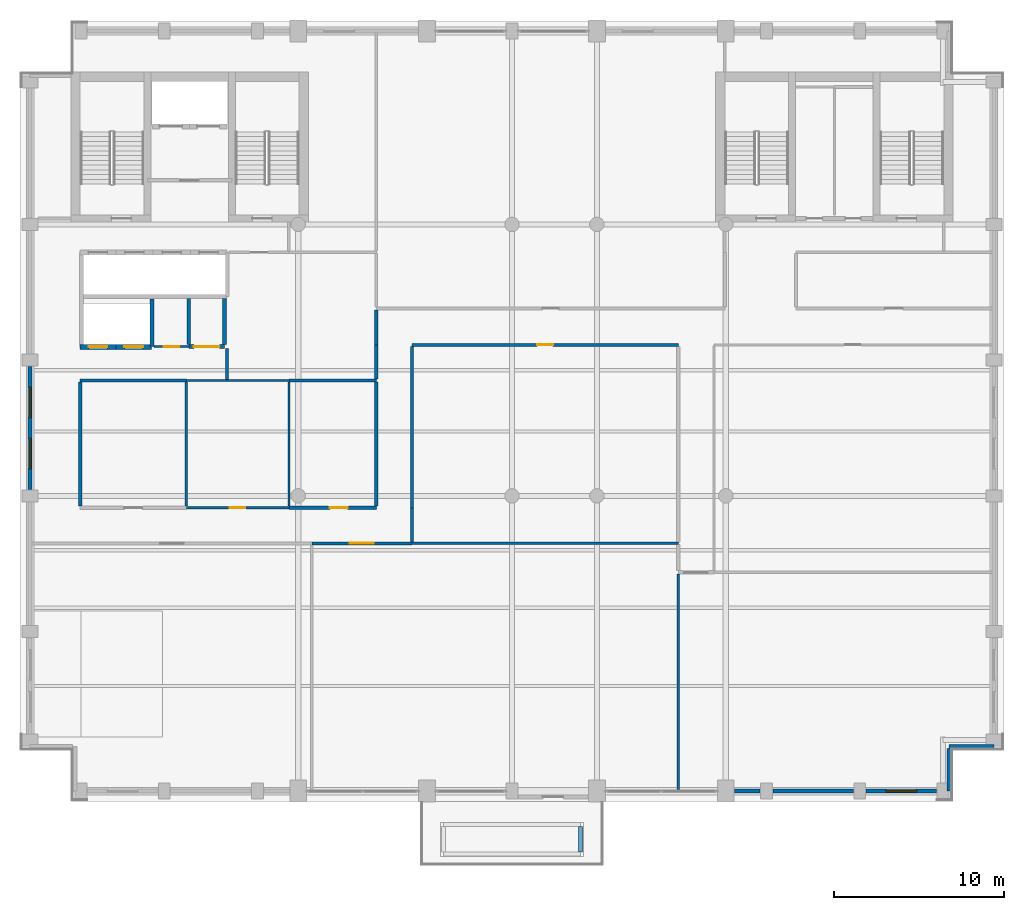
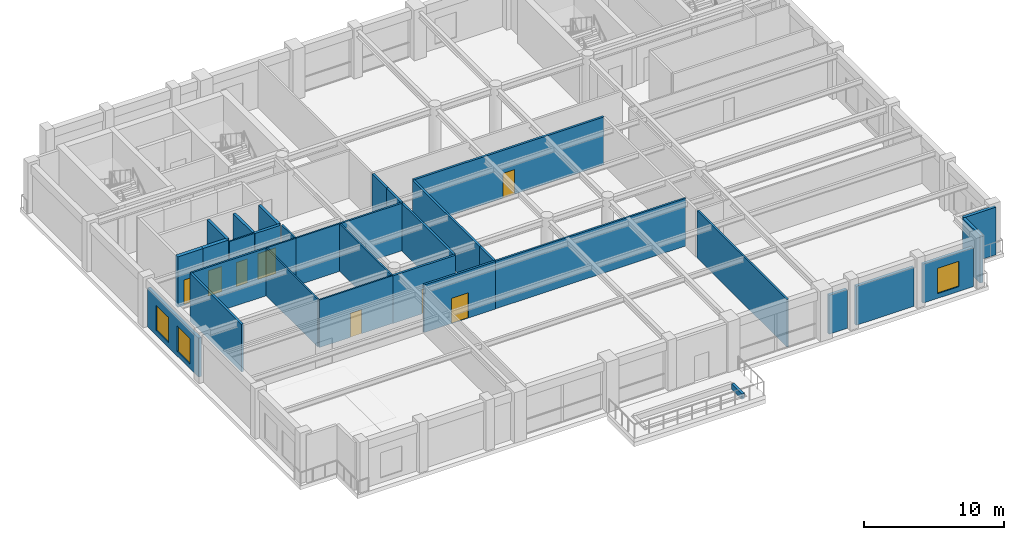
# One storey, part 7 of 13: 33 walls, 8 doors, 3 windows, 11 openings.
"""IFC4 building model written with IfcOpenShell, lengths in metres."""

from ifc_helpers import new_model, si_unit, direction, frame, frame_2d, origin, place, context, subcontext, project, spatial, rectangle, extrude, material, layer, layer_set, type_object, element, fill, save


model = new_model("IFC4")

# Units and contexts
model_context = context("Model", 3, precision=1e-05, world=origin(), true_north=direction((0.0, 1.0)))
body_context = subcontext(model_context, "Body", "Model", "MODEL_VIEW")
ifc_project = project(units=[si_unit("LENGTHUNIT", "METRE"), si_unit("AREAUNIT", "SQUARE_METRE"), si_unit("VOLUMEUNIT", "CUBIC_METRE"), si_unit("PLANEANGLEUNIT", "RADIAN"), si_unit("MASSUNIT", "GRAM", prefix="KILO")], contexts=[model_context])

# Site, building, storey
site_placement = place(None, origin())
site = spatial("IfcSite", under=ifc_project, at=site_placement, CompositionType="ELEMENT")
building_placement = place(site_placement, origin())
building = spatial("IfcBuilding", under=site, at=building_placement, Name="Sulina Concourse Tower", CompositionType="ELEMENT")
storey_placement = place(building_placement, frame((0.0, 0.0, 280.60009765625)))
storey = spatial("IfcBuildingStorey", under=building, at=storey_placement, Name="L68", CompositionType="ELEMENT", Elevation=280.60009765625)

# Wall
ifc_material_1 = material(Name="Concrete C50/60", Category="concrete")
ifc_layer_1 = layer(ifc_material_1, 0.219970703125)
ifc_layer_set_1 = layer_set([ifc_layer_1], Name="Concrete C50/60")
wall_type_1 = type_object("IfcWallType", Name="Core Lift Hoistway Divider Wall 220mm", PredefinedType="SOLIDWALL", material=ifc_layer_set_1)
wall_1_placement = place(storey_placement, frame((7.780029296875, 26.800048828125, 0.0), z_axis=(0.0, 0.0, 1.0), x_axis=(0.0, 1.0, 0.0)))
element("IfcWall", 1, at=wall_1_placement, inside=storey, type_object=wall_type_1, Name="L68 shaft divider wall HW-EXP-E", PredefinedType="SOLIDWALL", context=body_context, shape_type="SweptSolid", body=[
    extrude(rectangle(XDim=2.800048828125, YDim=0.219970703125, at=frame_2d((1.39990234375, 0.0))), origin(), (0.0, 0.0, 1.0), 4.39990234375),
])

# Wall, opening, door
ifc_material_2 = material(Name="Concrete C50/60", Category="concrete")
ifc_layer_2 = layer(ifc_material_2, 0.300048828125)
ifc_layer_set_2 = layer_set([ifc_layer_2], Name="Concrete C50/60")
wall_type_2 = type_object("IfcWallType", Name="Core Lift Hoistway Wall 300mm", PredefinedType="SOLIDWALL", material=ifc_layer_set_2)
wall_2_placement = place(storey_placement, frame((5.64990234375, 26.780029296875, 0.0), z_axis=(0.0, 0.0, 1.0), x_axis=(-1.0, 0.0, 0.0)))
wall_2 = element("IfcWall", 2, at=wall_2_placement, inside=storey, type_object=wall_type_2, Name="L68 hoistway enclosure wall EXP-1", PredefinedType="SOLIDWALL", context=body_context, shape_type="SweptSolid", body=[
    extrude(rectangle(XDim=2.099853515625, YDim=0.300048828125, at=frame_2d((1.0498046875, 0.0))), origin(), (0.0, 0.0, 1.0), 4.39990234375),
])
opening_1_placement = place(wall_2_placement, frame((0.5, 0.0, 0.0)))
opening_1 = element("IfcOpeningElement", 3, at=opening_1_placement, cuts=wall_2, Name="Opening LD-01", PredefinedType="OPENING", context=body_context, shape_type="SweptSolid", body=[
    extrude(rectangle(XDim=1.10009765625, YDim=2.199951171875, at=frame_2d((0.550048828125, 1.10009765625))), frame((0.0, 0.159912109375, 0.0), z_axis=(0.0, -1.0, 0.0), x_axis=(1.0, 0.0, 0.0)), (0.0, 0.0, 1.0), 0.320068359375),
])
ifc_material_3 = material(Name="Stainless steel lift landing door", Category="steel")
ifc_layer_3 = layer(ifc_material_3, 0.050048828125)
ifc_layer_set_3 = layer_set([ifc_layer_3], Name="Stainless steel lift landing door")
door_type_1 = type_object("IfcDoorType", Name="Passenger Lift Sliding Landing Door 1100x2200", OperationType="SLIDING_TO_LEFT", PredefinedType="DOOR", material=ifc_layer_set_3)
door_1_placement = place(opening_1_placement, origin())
door_1 = element("IfcDoor", 4, at=door_1_placement, inside=storey, type_object=door_type_1, Name="L68 lift landing sliding door EXP-1", OperationType="SLIDING_TO_LEFT", OverallHeight=2.199951171875, OverallWidth=1.10009765625, PredefinedType="DOOR", context=body_context, shape_type="SweptSolid", body=[
    extrude(rectangle(XDim=1.10009765625, YDim=2.199951171875, at=frame_2d((0.550048828125, 1.10009765625))), frame((0.0, 0.02490234375, 0.0), z_axis=(0.0, -1.0, 0.0), x_axis=(1.0, 0.0, 0.0)), (0.0, 0.0, 1.0), 0.050048828125),
])
fill(opening_1, door_1)

wall_3_placement = place(storey_placement, frame((7.75, 26.780029296875, 0.0), z_axis=(0.0, 0.0, 1.0), x_axis=(-1.0, 0.0, 0.0)))
wall_3 = element("IfcWall", 5, at=wall_3_placement, inside=storey, type_object=wall_type_2, Name="L68 hoistway enclosure wall EXP-2", PredefinedType="SOLIDWALL", context=body_context, shape_type="SweptSolid", body=[
    extrude(rectangle(XDim=2.10009765625, YDim=0.300048828125, at=frame_2d((1.050048828125, 0.0))), origin(), (0.0, 0.0, 1.0), 4.39990234375),
])
opening_2_placement = place(wall_3_placement, frame((0.5, 0.0, 0.0)))
opening_2 = element("IfcOpeningElement", 6, at=opening_2_placement, cuts=wall_3, Name="Opening LD-01", PredefinedType="OPENING", context=body_context, shape_type="SweptSolid", body=[
    extrude(rectangle(XDim=1.10009765625, YDim=2.199951171875, at=frame_2d((0.550048828125, 1.10009765625))), frame((0.0, 0.159912109375, 0.0), z_axis=(0.0, -1.0, 0.0), x_axis=(1.0, 0.0, 0.0)), (0.0, 0.0, 1.0), 0.320068359375),
])
door_2_placement = place(opening_2_placement, origin())
door_2 = element("IfcDoor", 7, at=door_2_placement, inside=storey, type_object=door_type_1, Name="L68 lift landing sliding door EXP-2", OperationType="SLIDING_TO_RIGHT", OverallHeight=2.199951171875, OverallWidth=1.10009765625, PredefinedType="DOOR", context=body_context, shape_type="SweptSolid", body=[
    extrude(rectangle(XDim=1.10009765625, YDim=2.199951171875, at=frame_2d((0.550048828125, 1.10009765625))), frame((0.0, 0.02490234375, 0.0), z_axis=(0.0, -1.0, 0.0), x_axis=(1.0, 0.0, 0.0)), (0.0, 0.0, 1.0), 0.050048828125),
])
fill(opening_2, door_2)

# Walls
ifc_material_4 = material(Name="Precast concrete C50/60", Category="concrete")
ifc_layer_4 = layer(ifc_material_4, 0.239990234375)
ifc_layer_set_4 = layer_set([ifc_layer_4], Name="Precast concrete C50/60")
wall_type_3 = type_object("IfcWallType", Name="Crown Precast Masonry-Frame Facade Wall 240mm", PredefinedType="SOLIDWALL", material=ifc_layer_set_4)
wall_4_placement = place(storey_placement, frame((43.6298828125, 0.60009765625, 0.0), z_axis=(0.0, 0.0, 1.0), x_axis=(-1.0, 0.0, 0.0)))
element("IfcWall", 8, at=wall_4_placement, inside=storey, type_object=wall_type_3, Name="L68 exterior precast wall S8", PredefinedType="SOLIDWALL", context=body_context, shape_type="SweptSolid", body=[
    extrude(rectangle(XDim=1.509765625, YDim=0.239990234375, at=frame_2d((0.7548828125, 0.0))), origin(), (0.0, 0.0, 1.0), 3.39990234375),
])
wall_5_placement = place(storey_placement, frame((49.1298828125, 0.60009765625, 0.0), z_axis=(0.0, 0.0, 1.0), x_axis=(-1.0, 0.0, 0.0)))
element("IfcWall", 9, at=wall_5_placement, inside=storey, type_object=wall_type_3, Name="L68 exterior precast wall S9", PredefinedType="SOLIDWALL", context=body_context, shape_type="SweptSolid", body=[
    extrude(rectangle(XDim=4.759765625, YDim=0.239990234375, at=frame_2d((2.3798828125, 0.0))), origin(), (0.0, 0.0, 1.0), 3.39990234375),
])

# Wall, opening, window
wall_6_placement = place(storey_placement, frame((54.030029296875, 0.60009765625, 0.0), z_axis=(0.0, 0.0, 1.0), x_axis=(-1.0, 0.0, 0.0)))
wall_6 = element("IfcWall", 10, at=wall_6_placement, inside=storey, type_object=wall_type_3, Name="L68 exterior precast wall S10", PredefinedType="SOLIDWALL", context=body_context, shape_type="SweptSolid", body=[
    extrude(rectangle(XDim=4.159912109375, YDim=0.239990234375, at=frame_2d((2.080078125, 0.0))), origin(), (0.0, 0.0, 1.0), 3.39990234375),
])
opening_3_placement = place(wall_6_placement, frame((1.179931640625, 0.0, 0.419921875)))
opening_3 = element("IfcOpeningElement", 11, at=opening_3_placement, cuts=wall_6, Name="Opening WN-25", PredefinedType="OPENING", context=body_context, shape_type="SweptSolid", body=[
    extrude(rectangle(XDim=1.800048828125, YDim=2.199951171875, at=frame_2d((0.89990234375, 1.10009765625))), frame((0.0, 0.1298828125, 0.0), z_axis=(0.0, -1.0, 0.0), x_axis=(1.0, 0.0, 0.0)), (0.0, 0.0, 1.0), 0.260009765625),
])
ifc_material_5 = material(Name="Low-E solar double glazing in bronze aluminium", Category="aluminium")
window_type = type_object("IfcWindowType", Name="Punched Masonry-Frame Window 1800x2200", PartitioningType="SINGLE_PANEL", PredefinedType="WINDOW", material=ifc_material_5)
window_1_placement = place(opening_3_placement, origin())
window_1 = element("IfcWindow", 12, at=window_1_placement, inside=storey, type_object=window_type, Name="L68 punched window S10-1", OverallHeight=2.199951171875, OverallWidth=1.800048828125, PartitioningType="SINGLE_PANEL", PredefinedType="WINDOW", context=body_context, shape_type="SweptSolid", body=[
    extrude(rectangle(XDim=1.800048828125, YDim=2.199951171875, at=frame_2d((0.89990234375, 1.10009765625))), frame((0.0, 0.030029296875, 0.0), z_axis=(0.0, -1.0, 0.0), x_axis=(1.0, 0.0, 0.0)), (0.0, 0.0, 1.0), 0.06005859375),
])
fill(opening_3, window_1)

# Wall, openings, windows
wall_7_placement = place(storey_placement, frame((0.60009765625, 18.3701171875, 0.0), z_axis=(0.0, 0.0, 1.0), x_axis=(0.0, 1.0, 0.0)))
wall_7 = element("IfcWall", 13, at=wall_7_placement, inside=storey, type_object=wall_type_3, Name="L68 exterior precast wall W3", PredefinedType="SOLIDWALL", context=body_context, shape_type="SweptSolid", body=[
    extrude(rectangle(XDim=7.259765625, YDim=0.239990234375, at=frame_2d((3.6298828125, 0.0))), origin(), (0.0, 0.0, 1.0), 3.39990234375),
])
opening_4_placement = place(wall_7_placement, frame((1.219970703125, 0.0, 0.419921875)))
opening_4 = element("IfcOpeningElement", 14, at=opening_4_placement, cuts=wall_7, Name="Opening WN-25", PredefinedType="OPENING", context=body_context, shape_type="SweptSolid", body=[
    extrude(rectangle(XDim=1.800048828125, YDim=2.199951171875, at=frame_2d((0.89990234375, 1.10009765625))), frame((0.0, 0.1298828125, 0.0), z_axis=(0.0, -1.0, 0.0), x_axis=(1.0, 0.0, 0.0)), (0.0, 0.0, 1.0), 0.260009765625),
])
opening_5_placement = place(wall_7_placement, frame((4.239990234375, 0.0, 0.419921875)))
opening_5 = element("IfcOpeningElement", 15, at=opening_5_placement, cuts=wall_7, Name="Opening WN-25", PredefinedType="OPENING", context=body_context, shape_type="SweptSolid", body=[
    extrude(rectangle(XDim=1.800048828125, YDim=2.199951171875, at=frame_2d((0.89990234375, 1.10009765625))), frame((0.0, 0.1298828125, 0.0), z_axis=(0.0, -1.0, 0.0), x_axis=(1.0, 0.0, 0.0)), (0.0, 0.0, 1.0), 0.260009765625),
])
window_2_placement = place(opening_4_placement, origin())
window_2 = element("IfcWindow", 16, at=window_2_placement, inside=storey, type_object=window_type, Name="L68 punched window W3-1", OverallHeight=2.199951171875, OverallWidth=1.800048828125, PartitioningType="SINGLE_PANEL", PredefinedType="WINDOW", context=body_context, shape_type="SweptSolid", body=[
    extrude(rectangle(XDim=1.800048828125, YDim=2.199951171875, at=frame_2d((0.89990234375, 1.10009765625))), frame((0.0, 0.030029296875, 0.0), z_axis=(0.0, -1.0, 0.0), x_axis=(1.0, 0.0, 0.0)), (0.0, 0.0, 1.0), 0.06005859375),
])
fill(opening_4, window_2)
window_3_placement = place(opening_5_placement, origin())
window_3 = element("IfcWindow", 17, at=window_3_placement, inside=storey, type_object=window_type, Name="L68 punched window W3-2", OverallHeight=2.199951171875, OverallWidth=1.800048828125, PartitioningType="SINGLE_PANEL", PredefinedType="WINDOW", context=body_context, shape_type="SweptSolid", body=[
    extrude(rectangle(XDim=1.800048828125, YDim=2.199951171875, at=frame_2d((0.89990234375, 1.10009765625))), frame((0.0, 0.030029296875, 0.0), z_axis=(0.0, -1.0, 0.0), x_axis=(1.0, 0.0, 0.0)), (0.0, 0.0, 1.0), 0.06005859375),
])
fill(opening_5, window_3)

# Walls
wall_8_placement = place(storey_placement, frame((57.39990234375, 3.22998046875, 0.0), z_axis=(0.0, 0.0, 1.0), x_axis=(-1.0, 0.0, 0.0)))
element("IfcWall", 18, at=wall_8_placement, inside=storey, type_object=wall_type_3, Name="L68 exterior precast wall CSE1", PredefinedType="SOLIDWALL", context=body_context, shape_type="SweptSolid", body=[
    extrude(rectangle(XDim=2.6298828125, YDim=0.239990234375, at=frame_2d((1.31494140625, 0.0))), origin(), (0.0, 0.0, 1.0), 4.14990234375),
])
wall_9_placement = place(storey_placement, frame((54.77001953125, 3.10498046875, 0.0), z_axis=(0.0, 0.0, 1.0), x_axis=(0.0, -1.0, 0.0)))
element("IfcWall", 19, at=wall_9_placement, inside=storey, type_object=wall_type_3, Name="L68 exterior precast wall CSE2", PredefinedType="SOLIDWALL", context=body_context, shape_type="SweptSolid", body=[
    extrude(rectangle(XDim=2.5048828125, YDim=0.239990234375, at=frame_2d((1.25244140625, 0.0))), origin(), (0.0, 0.0, 1.0), 4.14990234375),
])

# Wall, opening, door
ifc_material_6 = material(Name="Gypsum board on steel stud", Category="steel")
ifc_layer_5 = layer(ifc_material_6, 0.219970703125)
ifc_layer_set_5 = layer_set([ifc_layer_5], Name="Gypsum board on steel stud")
wall_type_4 = type_object("IfcWallType", Name="Fire-Rated Lobby & Compartment Wall 220mm", PredefinedType="PARTITIONING", material=ifc_layer_set_5)
wall_10_placement = place(storey_placement, frame((9.949951171875, 26.800048828125, 0.0), z_axis=(0.0, 0.0, 1.0), x_axis=(1.0, 0.0, 0.0)))
wall_10 = element("IfcWall", 20, at=wall_10_placement, inside=storey, type_object=wall_type_4, Name="L68 interior partition 014", PredefinedType="PARTITIONING", context=body_context, shape_type="SweptSolid", body=[
    extrude(rectangle(XDim=2.10009765625, YDim=0.219970703125, at=frame_2d((1.050048828125, 0.0))), origin(), (0.0, 0.0, 1.0), 4.14990234375),
])
opening_6_placement = place(wall_10_placement, frame((0.300048828125, 0.0, 0.0)))
opening_6 = element("IfcOpeningElement", 21, at=opening_6_placement, cuts=wall_10, Name="Opening DR-80", PredefinedType="OPENING", context=body_context, shape_type="SweptSolid", body=[
    extrude(rectangle(XDim=1.5, YDim=2.25, at=frame_2d((0.75, 1.125))), frame((0.0, 0.119873046875, 0.0), z_axis=(0.0, -1.0, 0.0), x_axis=(1.0, 0.0, 0.0)), (0.0, 0.0, 1.0), 0.239990234375),
])
ifc_material_7 = material(Name="Galvanised steel acoustic fire leaf", Category="steel")
ifc_layer_6 = layer(ifc_material_7, 0.054931640625)
ifc_layer_set_6 = layer_set([ifc_layer_6], Name="Galvanised steel acoustic fire leaf")
door_type_2 = type_object("IfcDoorType", Name="Mechanical Plant Double Fire Door 1500x2250", OperationType="DOUBLE_DOOR_SINGLE_SWING", PredefinedType="DOOR", material=ifc_layer_set_6)
door_3_placement = place(opening_6_placement, origin())
door_3 = element("IfcDoor", 22, at=door_3_placement, inside=storey, type_object=door_type_2, Name="L68 interior door L68-IT-IDF", OperationType="DOUBLE_DOOR_SINGLE_SWING", OverallHeight=2.25, OverallWidth=1.5, PredefinedType="DOOR", context=body_context, shape_type="SweptSolid", body=[
    extrude(rectangle(XDim=1.5, YDim=2.25, at=frame_2d((0.75, 1.125))), frame((0.0, 0.02490234375, 0.0), z_axis=(0.0, -1.0, 0.0), x_axis=(1.0, 0.0, 0.0)), (0.0, 0.0, 1.0), 0.050048828125),
])
fill(opening_6, door_3)

# Walls
for number, where, z_axis, x_axis, name in (
    (23, (9.949951171875, 26.909912109375, 0.0), (0.0, 0.0, 1.0), (0.0, 1.0, 0.0), "L68 interior partition 028"),
    (24, (12.050048828125, 26.909912109375, 0.0), (0.0, 0.0, 1.0), (0.0, 1.0, 0.0), "L68 interior partition 029"),
):
    element("IfcWall", number, at=place(storey_placement, frame(where, z_axis=z_axis, x_axis=x_axis)), inside=storey, type_object=wall_type_4, Name=name, PredefinedType="PARTITIONING", context=body_context, shape_type="SweptSolid", body=[
        extrude(rectangle(XDim=2.72998046875, YDim=0.219970703125, at=frame_2d((1.364990234375, 0.0))), origin(), (0.0, 0.0, 1.0), 4.14990234375),
    ])
ifc_material_8 = material(Name="Gypsum board on steel stud", Category="steel")
ifc_layer_7 = layer(ifc_material_8, 0.14990234375)
ifc_layer_set_7 = layer_set([ifc_layer_7], Name="Gypsum board on steel stud")
wall_type_5 = type_object("IfcWallType", Name="Inter-Tenancy Acoustic Partition 150mm", PredefinedType="PARTITIONING", material=ifc_layer_set_7)
wall_11_placement = place(storey_placement, frame((23.10009765625, 15.199951171875, 0.0), z_axis=(0.0, 0.0, 1.0), x_axis=(1.0, 0.0, 0.0)))
element("IfcWall", 25, at=wall_11_placement, inside=storey, type_object=wall_type_5, Name="L68 interior partition 005", PredefinedType="PARTITIONING", context=body_context, shape_type="SweptSolid", body=[
    extrude(rectangle(XDim=15.699951171875, YDim=0.14990234375, at=frame_2d((7.85009765625, 0.0))), origin(), (0.0, 0.0, 1.0), 4.14990234375),
])
wall_12_placement = place(storey_placement, frame((3.550048828125, 24.800048828125, 0.0), z_axis=(0.0, 0.0, 1.0), x_axis=(1.0, 0.0, 0.0)))
element("IfcWall", 26, at=wall_12_placement, inside=storey, type_object=wall_type_5, Name="L68 interior partition 009", PredefinedType="PARTITIONING", context=body_context, shape_type="SweptSolid", body=[
    extrude(rectangle(XDim=6.25, YDim=0.14990234375, at=frame_2d((3.125, 0.0))), origin(), (0.0, 0.0, 1.0), 4.14990234375),
])
wall_13_placement = place(storey_placement, frame((15.85009765625, 24.800048828125, 0.0), z_axis=(0.0, 0.0, 1.0), x_axis=(1.0, 0.0, 0.0)))
element("IfcWall", 27, at=wall_13_placement, inside=storey, type_object=wall_type_5, Name="L68 interior partition 012", PredefinedType="PARTITIONING", context=body_context, shape_type="SweptSolid", body=[
    extrude(rectangle(XDim=5.14990234375, YDim=0.14990234375, at=frame_2d((2.574951171875, 0.0))), origin(), (0.0, 0.0, 1.0), 4.14990234375),
])
wall_14_placement = place(storey_placement, frame((12.199951171875, 24.862548828125, 0.0), z_axis=(0.0, 0.0, 1.0), x_axis=(0.0, 1.0, 0.0)))
element("IfcWall", 28, at=wall_14_placement, inside=storey, type_object=wall_type_5, Name="L68 interior partition 030", PredefinedType="PARTITIONING", context=body_context, shape_type="SweptSolid", body=[
    extrude(rectangle(XDim=1.827392578125, YDim=0.14990234375, at=frame_2d((0.91357421875, 0.0))), origin(), (0.0, 0.0, 1.0), 4.14990234375),
])
wall_15_placement = place(storey_placement, frame((38.800048828125, 0.60009765625, 0.0), z_axis=(0.0, 0.0, 1.0), x_axis=(0.0, 1.0, 0.0)))
element("IfcWall", 29, at=wall_15_placement, inside=storey, type_object=wall_type_5, Name="L68 interior partition 041", PredefinedType="PARTITIONING", context=body_context, shape_type="SweptSolid", body=[
    extrude(rectangle(XDim=12.809814453125, YDim=0.14990234375, at=frame_2d((6.40478515625, 0.0))), origin(), (0.0, 0.0, 1.0), 4.14990234375),
])

# Wall, opening, door
ifc_material_9 = material(Name="Gypsum board on steel stud", Category="steel")
ifc_layer_8 = layer(ifc_material_9, 0.179931640625)
ifc_layer_set_8 = layer_set([ifc_layer_8], Name="Gypsum board on steel stud")
wall_type_6 = type_object("IfcWallType", Name="Protected Corridor & Riser Partition 180mm", PredefinedType="PARTITIONING", material=ifc_layer_set_8)
wall_16_placement = place(storey_placement, frame((17.199951171875, 15.199951171875, 0.0), z_axis=(0.0, 0.0, 1.0), x_axis=(1.0, 0.0, 0.0)))
wall_16 = element("IfcWall", 30, at=wall_16_placement, inside=storey, type_object=wall_type_6, Name="L68 interior partition 004", PredefinedType="PARTITIONING", context=body_context, shape_type="SweptSolid", body=[
    extrude(rectangle(XDim=5.900146484375, YDim=0.179931640625, at=frame_2d((2.9501953125, 0.0))), origin(), (0.0, 0.0, 1.0), 4.14990234375),
])
opening_7_placement = place(wall_16_placement, frame((2.25, 0.0, 0.0)))
opening_7 = element("IfcOpeningElement", 31, at=opening_7_placement, cuts=wall_16, Name="Opening DR-57", PredefinedType="OPENING", context=body_context, shape_type="SweptSolid", body=[
    extrude(rectangle(XDim=1.39990234375, YDim=2.199951171875, at=frame_2d((0.699951171875, 1.10009765625))), frame((0.0, 0.099853515625, 0.0), z_axis=(0.0, -1.0, 0.0), x_axis=(1.0, 0.0, 0.0)), (0.0, 0.0, 1.0), 0.199951171875),
])
ifc_material_10 = material(Name="Oak-veneered fire door leaf")
ifc_layer_9 = layer(ifc_material_10, 0.054931640625)
ifc_layer_set_9 = layer_set([ifc_layer_9], Name="Oak-veneered fire door leaf")
door_type_3 = type_object("IfcDoorType", Name="Core Lift Lobby Double Fire Door 1400x2200", OperationType="DOUBLE_DOOR_SINGLE_SWING", PredefinedType="DOOR", material=ifc_layer_set_9)
door_4_placement = place(opening_7_placement, origin())
door_4 = element("IfcDoor", 32, at=door_4_placement, inside=storey, type_object=door_type_3, Name="L68 interior door L68-POOL-LNG", OperationType="DOUBLE_DOOR_SINGLE_SWING", OverallHeight=2.199951171875, OverallWidth=1.39990234375, PredefinedType="DOOR", context=body_context, shape_type="SweptSolid", body=[
    extrude(rectangle(XDim=1.39990234375, YDim=2.199951171875, at=frame_2d((0.699951171875, 1.10009765625))), frame((0.0, 0.02490234375, 0.0), z_axis=(0.0, -1.0, 0.0), x_axis=(1.0, 0.0, 0.0)), (0.0, 0.0, 1.0), 0.050048828125),
])
fill(opening_7, door_4)

wall_17_placement = place(storey_placement, frame((15.85009765625, 17.300048828125, 0.0), z_axis=(0.0, 0.0, 1.0), x_axis=(1.0, 0.0, 0.0)))
wall_17 = element("IfcWall", 33, at=wall_17_placement, inside=storey, type_object=wall_type_6, Name="L68 interior partition 008", PredefinedType="PARTITIONING", context=body_context, shape_type="SweptSolid", body=[
    extrude(rectangle(XDim=5.14990234375, YDim=0.179931640625, at=frame_2d((2.574951171875, 0.0))), origin(), (0.0, 0.0, 1.0), 4.14990234375),
])
opening_8_placement = place(wall_17_placement, frame((2.409912109375, 0.0, 0.0)))
opening_8 = element("IfcOpeningElement", 34, at=opening_8_placement, cuts=wall_17, Name="Opening DR-37", PredefinedType="OPENING", context=body_context, shape_type="SweptSolid", body=[
    extrude(rectangle(XDim=1.050048828125, YDim=2.14990234375, at=frame_2d((0.52490234375, 1.074951171875))), frame((0.0, 0.099853515625, 0.0), z_axis=(0.0, -1.0, 0.0), x_axis=(1.0, 0.0, 0.0)), (0.0, 0.0, 1.0), 0.199951171875),
])
ifc_material_11 = material(Name="Oak-veneered fire door leaf")
ifc_layer_10 = layer(ifc_material_11, 0.050048828125)
ifc_layer_set_10 = layer_set([ifc_layer_10], Name="Oak-veneered fire door leaf")
door_type_4 = type_object("IfcDoorType", Name="Tenant Suite Entrance Fire Door 1050x2150", OperationType="NOTDEFINED", PredefinedType="DOOR", material=ifc_layer_set_10)
door_5_placement = place(opening_8_placement, origin())
door_5 = element("IfcDoor", 35, at=door_5_placement, inside=storey, type_object=door_type_4, Name="L68 interior door L68-REC-SPW", OperationType="SINGLE_SWING_RIGHT", OverallHeight=2.14990234375, OverallWidth=1.050048828125, PredefinedType="DOOR", context=body_context, shape_type="SweptSolid", body=[
    extrude(rectangle(XDim=1.050048828125, YDim=2.14990234375, at=frame_2d((0.52490234375, 1.074951171875))), frame((0.0, 0.02490234375, 0.0), z_axis=(0.0, -1.0, 0.0), x_axis=(1.0, 0.0, 0.0)), (0.0, 0.0, 1.0), 0.050048828125),
])
fill(opening_8, door_5)

wall_18_placement = place(storey_placement, frame((23.10009765625, 26.89990234375, 0.0), z_axis=(0.0, 0.0, 1.0), x_axis=(1.0, 0.0, 0.0)))
wall_18 = element("IfcWall", 36, at=wall_18_placement, inside=storey, type_object=wall_type_6, Name="L68 interior partition 015", PredefinedType="PARTITIONING", context=body_context, shape_type="SweptSolid", body=[
    extrude(rectangle(XDim=15.699951171875, YDim=0.179931640625, at=frame_2d((7.85009765625, 0.0))), origin(), (0.0, 0.0, 1.0), 4.14990234375),
])
opening_9_placement = place(wall_18_placement, frame((7.375, 0.0, 0.0)))
opening_9 = element("IfcOpeningElement", 37, at=opening_9_placement, cuts=wall_18, Name="Opening DR-19", PredefinedType="OPENING", context=body_context, shape_type="SweptSolid", body=[
    extrude(rectangle(XDim=0.949951171875, YDim=2.14990234375, at=frame_2d((0.47509765625, 1.074951171875))), frame((0.0, 0.099853515625, 0.0), z_axis=(0.0, -1.0, 0.0), x_axis=(1.0, 0.0, 0.0)), (0.0, 0.0, 1.0), 0.199951171875),
])
ifc_material_12 = material(Name="Oak-veneered acoustic timber leaf", Category="wood")
ifc_layer_11 = layer(ifc_material_12, 0.050048828125)
ifc_layer_set_11 = layer_set([ifc_layer_11], Name="Oak-veneered acoustic timber leaf")
door_type_5 = type_object("IfcDoorType", Name="Cellular Office & Meeting Door 950x2150", OperationType="NOTDEFINED", PredefinedType="DOOR", material=ifc_layer_set_11)
door_6_placement = place(opening_9_placement, origin())
door_6 = element("IfcDoor", 38, at=door_6_placement, inside=storey, type_object=door_type_5, Name="L68 interior door L68-STD-SP", OperationType="SINGLE_SWING_RIGHT", OverallHeight=2.14990234375, OverallWidth=0.949951171875, PredefinedType="DOOR", context=body_context, shape_type="SweptSolid", body=[
    extrude(rectangle(XDim=0.949951171875, YDim=2.14990234375, at=frame_2d((0.47509765625, 1.074951171875))), frame((0.0, 0.02490234375, 0.0), z_axis=(0.0, -1.0, 0.0), x_axis=(1.0, 0.0, 0.0)), (0.0, 0.0, 1.0), 0.050048828125),
])
fill(opening_9, door_6)

# Walls
for number, where, z_axis, x_axis, name in (
    (39, (3.550048828125, 17.389892578125, 0.0), (0.0, 0.0, 1.0), (0.0, 1.0, 0.0), "L68 interior partition 026"),
    (40, (21.0, 17.389892578125, 0.0), (0.0, 0.0, 1.0), (0.0, 1.0, 0.0), "L68 interior partition 034"),
):
    element("IfcWall", number, at=place(storey_placement, frame(where, z_axis=z_axis, x_axis=x_axis)), inside=storey, type_object=wall_type_6, Name=name, PredefinedType="PARTITIONING", context=body_context, shape_type="SweptSolid", body=[
        extrude(rectangle(XDim=7.335205078125, YDim=0.179931640625, at=frame_2d((3.66748046875, 0.0))), origin(), (0.0, 0.0, 1.0), 4.14990234375),
    ])
wall_19_placement = place(storey_placement, frame((21.0, 24.875, 0.0), z_axis=(0.0, 0.0, 1.0), x_axis=(0.0, 1.0, 0.0)))
element("IfcWall", 41, at=wall_19_placement, inside=storey, type_object=wall_type_6, Name="L68 interior partition 035", PredefinedType="PARTITIONING", context=body_context, shape_type="SweptSolid", body=[
    extrude(rectangle(XDim=2.02490234375, YDim=0.179931640625, at=frame_2d((1.012451171875, 0.0))), origin(), (0.0, 0.0, 1.0), 4.14990234375),
])
wall_20_placement = place(storey_placement, frame((21.0, 26.89990234375, 0.0), z_axis=(0.0, 0.0, 1.0), x_axis=(0.0, 1.0, 0.0)))
element("IfcWall", 42, at=wall_20_placement, inside=storey, type_object=wall_type_6, Name="L68 interior partition 036", PredefinedType="PARTITIONING", context=body_context, shape_type="SweptSolid", body=[
    extrude(rectangle(XDim=2.06005859375, YDim=0.179931640625, at=frame_2d((1.030029296875, 0.0))), origin(), (0.0, 0.0, 1.0), 4.14990234375),
])
wall_21_placement = place(storey_placement, frame((23.10009765625, 15.2900390625, 0.0), z_axis=(0.0, 0.0, 1.0), x_axis=(0.0, 1.0, 0.0)))
element("IfcWall", 43, at=wall_21_placement, inside=storey, type_object=wall_type_6, Name="L68 interior partition 039", PredefinedType="PARTITIONING", context=body_context, shape_type="SweptSolid", body=[
    extrude(rectangle(XDim=2.010009765625, YDim=0.179931640625, at=frame_2d((1.0048828125, 0.0))), origin(), (0.0, 0.0, 1.0), 4.14990234375),
])
wall_22_placement = place(storey_placement, frame((23.10009765625, 17.300048828125, 0.0), z_axis=(0.0, 0.0, 1.0), x_axis=(0.0, 1.0, 0.0)))
element("IfcWall", 44, at=wall_22_placement, inside=storey, type_object=wall_type_6, Name="L68 interior partition 040", PredefinedType="PARTITIONING", context=body_context, shape_type="SweptSolid", body=[
    extrude(rectangle(XDim=9.510009765625, YDim=0.179931640625, at=frame_2d((4.7548828125, 0.0))), origin(), (0.0, 0.0, 1.0), 4.14990234375),
])
ifc_material_13 = material(Name="Concrete C50/60", Category="concrete")
ifc_layer_12 = layer(ifc_material_13, 0.239990234375)
ifc_layer_set_12 = layer_set([ifc_layer_12], Name="Concrete C50/60")
wall_type_7 = type_object("IfcWallType", Name="Sky-Pool Water-Retaining Wall 240mm", PredefinedType="SOLIDWALL", material=ifc_layer_set_12)
wall_23_placement = place(storey_placement, frame((33.050048828125, -1.5, -0.340087890625), z_axis=(0.0, 0.0, 1.0), x_axis=(0.0, -1.0, 0.0)))
element("IfcWall", 45, at=wall_23_placement, inside=storey, type_object=wall_type_7, Name="L68 sky-pool retaining wall PW-E", PredefinedType="SOLIDWALL", context=body_context, shape_type="SweptSolid", body=[
    extrude(rectangle(XDim=1.5, YDim=0.239990234375, at=frame_2d((0.75, 0.0))), origin(), (0.0, 0.0, 1.0), 0.4599609375),
])

# Wall, opening, door
ifc_material_14 = material(Name="Gypsum board on steel stud", Category="steel")
ifc_layer_13 = layer(ifc_material_14, 0.125)
ifc_layer_set_13 = layer_set([ifc_layer_13], Name="Gypsum board on steel stud")
wall_type_8 = type_object("IfcWallType", Name="Wet-Area Moisture-Resistant Partition 125mm", PredefinedType="PARTITIONING", material=ifc_layer_set_13)
wall_24_placement = place(storey_placement, frame((9.800048828125, 17.300048828125, 0.0), z_axis=(0.0, 0.0, 1.0), x_axis=(1.0, 0.0, 0.0)))
wall_24 = element("IfcWall", 46, at=wall_24_placement, inside=storey, type_object=wall_type_8, Name="L68 interior partition 007", PredefinedType="PARTITIONING", context=body_context, shape_type="SweptSolid", body=[
    extrude(rectangle(XDim=6.050048828125, YDim=0.125, at=frame_2d((3.02490234375, 0.0))), origin(), (0.0, 0.0, 1.0), 4.14990234375),
])
opening_10_placement = place(wall_24_placement, frame((2.574951171875, 0.0, 0.0)))
opening_10 = element("IfcOpeningElement", 47, at=opening_10_placement, cuts=wall_24, Name="Opening DR-21", PredefinedType="OPENING", context=body_context, shape_type="SweptSolid", body=[
    extrude(rectangle(XDim=0.89990234375, YDim=2.10009765625, at=frame_2d((0.449951171875, 1.050048828125))), frame((0.0, 0.072509765625, 0.0), z_axis=(0.0, -1.0, 0.0), x_axis=(1.0, 0.0, 0.0)), (0.0, 0.0, 1.0), 0.14501953125),
])
ifc_material_15 = material(Name="Oak-veneered fire door leaf")
ifc_layer_14 = layer(ifc_material_15, 0.050048828125)
ifc_layer_set_14 = layer_set([ifc_layer_14], Name="Oak-veneered fire door leaf")
door_type_6 = type_object("IfcDoorType", Name="Restroom & Service Door 900x2100", OperationType="NOTDEFINED", PredefinedType="DOOR", material=ifc_layer_set_14)
door_7_placement = place(opening_10_placement, origin())
door_7 = element("IfcDoor", 48, at=door_7_placement, inside=storey, type_object=door_type_6, Name="L68 interior door L68-LR-MRG2", OperationType="SINGLE_SWING_LEFT", OverallHeight=2.10009765625, OverallWidth=0.89990234375, PredefinedType="DOOR", context=body_context, shape_type="SweptSolid", body=[
    extrude(rectangle(XDim=0.89990234375, YDim=2.10009765625, at=frame_2d((0.449951171875, 1.050048828125))), frame((0.0, 0.02490234375, 0.0), z_axis=(0.0, -1.0, 0.0), x_axis=(1.0, 0.0, 0.0)), (0.0, 0.0, 1.0), 0.050048828125),
])
fill(opening_10, door_7)

# Walls
wall_25_placement = place(storey_placement, frame((9.800048828125, 24.800048828125, 0.0), z_axis=(0.0, 0.0, 1.0), x_axis=(1.0, 0.0, 0.0)))
element("IfcWall", 49, at=wall_25_placement, inside=storey, type_object=wall_type_8, Name="L68 interior partition 010", PredefinedType="PARTITIONING", context=body_context, shape_type="SweptSolid", body=[
    extrude(rectangle(XDim=2.39990234375, YDim=0.125, at=frame_2d((1.199951171875, 0.0))), origin(), (0.0, 0.0, 1.0), 4.14990234375),
])
wall_26_placement = place(storey_placement, frame((12.199951171875, 24.800048828125, 0.0), z_axis=(0.0, 0.0, 1.0), x_axis=(1.0, 0.0, 0.0)))
element("IfcWall", 50, at=wall_26_placement, inside=storey, type_object=wall_type_8, Name="L68 interior partition 011", PredefinedType="PARTITIONING", context=body_context, shape_type="SweptSolid", body=[
    extrude(rectangle(XDim=3.650146484375, YDim=0.125, at=frame_2d((1.8251953125, 0.0))), origin(), (0.0, 0.0, 1.0), 4.14990234375),
])

# Wall, opening, door
wall_27_placement = place(storey_placement, frame((7.889892578125, 26.800048828125, 0.0), z_axis=(0.0, 0.0, 1.0), x_axis=(1.0, 0.0, 0.0)))
wall_27 = element("IfcWall", 51, at=wall_27_placement, inside=storey, type_object=wall_type_8, Name="L68 interior partition 013", PredefinedType="PARTITIONING", context=body_context, shape_type="SweptSolid", body=[
    extrude(rectangle(XDim=2.06005859375, YDim=0.125, at=frame_2d((1.030029296875, 0.0))), origin(), (0.0, 0.0, 1.0), 4.14990234375),
])
opening_11_placement = place(wall_27_placement, frame((0.570068359375, 0.0, 0.0)))
opening_11 = element("IfcOpeningElement", 52, at=opening_11_placement, cuts=wall_27, Name="Opening DR-61", PredefinedType="OPENING", context=body_context, shape_type="SweptSolid", body=[
    extrude(rectangle(XDim=0.919921875, YDim=2.10009765625, at=frame_2d((0.4599609375, 1.050048828125))), frame((0.0, 0.072509765625, 0.0), z_axis=(0.0, -1.0, 0.0), x_axis=(1.0, 0.0, 0.0)), (0.0, 0.0, 1.0), 0.14501953125),
])
ifc_material_16 = material(Name="Oak-veneered fire door leaf")
ifc_layer_15 = layer(ifc_material_16, 0.050048828125)
ifc_layer_set_15 = layer_set([ifc_layer_15], Name="Oak-veneered fire door leaf")
door_type_7 = type_object("IfcDoorType", Name="Accessible WC Door 920x2100", OperationType="NOTDEFINED", PredefinedType="DOOR", material=ifc_layer_set_15)
door_8_placement = place(opening_11_placement, origin())
door_8 = element("IfcDoor", 53, at=door_8_placement, inside=storey, type_object=door_type_7, Name="L68 interior door L68-WC-ACC", OperationType="SINGLE_SWING_LEFT", OverallHeight=2.10009765625, OverallWidth=0.919921875, PredefinedType="DOOR", context=body_context, shape_type="SweptSolid", body=[
    extrude(rectangle(XDim=0.919921875, YDim=2.10009765625, at=frame_2d((0.4599609375, 1.050048828125))), frame((0.0, 0.02490234375, 0.0), z_axis=(0.0, -1.0, 0.0), x_axis=(1.0, 0.0, 0.0)), (0.0, 0.0, 1.0), 0.050048828125),
])
fill(opening_11, door_8)

# Walls
for number, where, z_axis, x_axis, name in (
    (54, (9.800048828125, 17.389892578125, 0.0), (0.0, 0.0, 1.0), (0.0, 1.0, 0.0), "L68 interior partition 027"),
    (55, (15.85009765625, 17.389892578125, 0.0), (0.0, 0.0, 1.0), (0.0, 1.0, 0.0), "L68 interior partition 031"),
):
    element("IfcWall", number, at=place(storey_placement, frame(where, z_axis=z_axis, x_axis=x_axis)), inside=storey, type_object=wall_type_8, Name=name, PredefinedType="PARTITIONING", context=body_context, shape_type="SweptSolid", body=[
        extrude(rectangle(XDim=7.335205078125, YDim=0.125, at=frame_2d((3.66748046875, 0.0))), origin(), (0.0, 0.0, 1.0), 4.14990234375),
    ])

save(model, "model.ifc")
